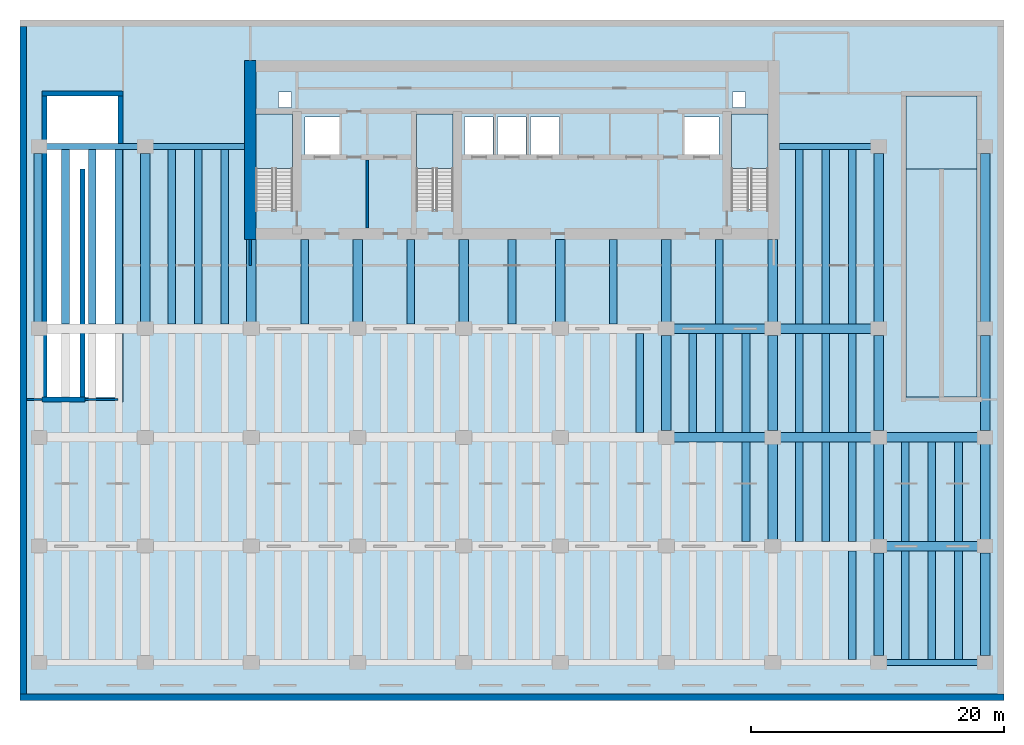
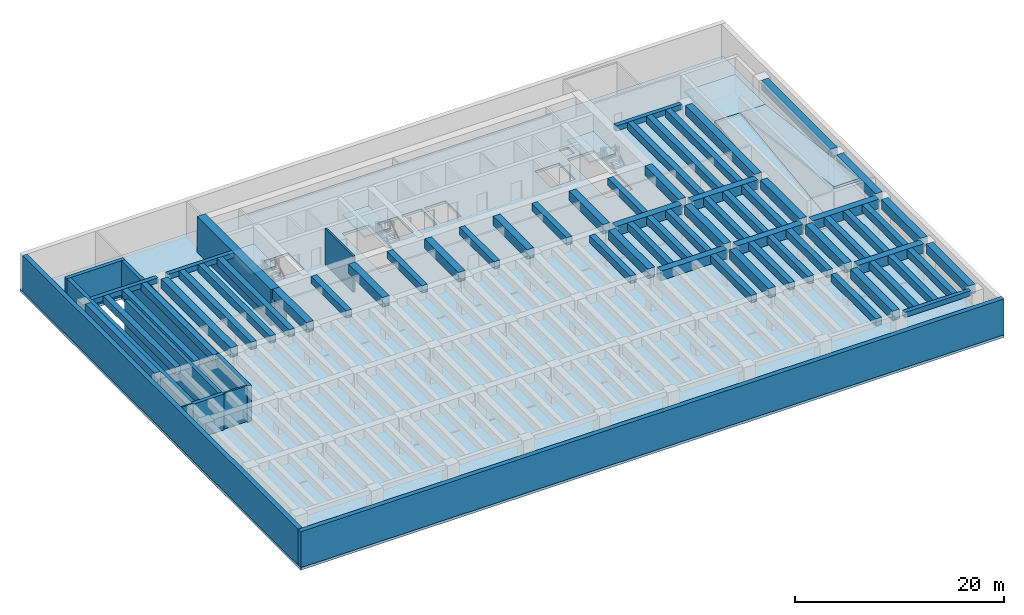
# One storey, part 2 of 8: 61 beams, 12 walls, 7 slabs, 3 elements without a shape of their own.
"""IFC4 building model written with IfcOpenShell, lengths in metres."""

from ifc_helpers import new_model, si_unit, direction, frame, frame_2d, origin, origin_2d, place, context, subcontext, project, spatial, polyline, rectangle, outline, extrude, material, layer, layer_set, material_profile, profile_set, type_object, element, aggregate, save


model = new_model("IFC4")

# Units and contexts
model_context = context("Model", 3, precision=1e-05, world=origin(), true_north=direction((0.0, 1.0)))
body_context = subcontext(model_context, "Body", "Model", "MODEL_VIEW")
ifc_project = project(units=[si_unit("LENGTHUNIT", "METRE"), si_unit("AREAUNIT", "SQUARE_METRE"), si_unit("VOLUMEUNIT", "CUBIC_METRE"), si_unit("PLANEANGLEUNIT", "RADIAN"), si_unit("MASSUNIT", "GRAM", prefix="KILO")], contexts=[model_context])

# Site, building, storey
site_placement = place(None, origin())
site = spatial("IfcSite", under=ifc_project, at=site_placement, CompositionType="ELEMENT")
building_placement = place(site_placement, origin())
building = spatial("IfcBuilding", under=site, at=building_placement, Name="Caelmar Bay Residences", CompositionType="ELEMENT")
storey_placement = place(building_placement, frame((0.0, 0.0, -4.5)))
storey = spatial("IfcBuildingStorey", under=building, at=storey_placement, Name="B01", CompositionType="ELEMENT", Elevation=-4.5)

# Beams
ifc_material_1 = material(Name="Concrete f'c 40 MPa (6,000 psi)", Category="concrete")
ifc_material_profile_1 = material_profile(ifc_material_1, rectangle(XDim=0.449951171875, YDim=0.60009765625, at=origin_2d()), Name="RC-BM-450X600")
ifc_profile_set_1 = profile_set([ifc_material_profile_1], Name="Concrete f'c 40 MPa (6,000 psi)")
beam_type_1 = type_object("IfcBeamType", Name="BM-RC-450X600", PredefinedType="SPANDREL", material=ifc_profile_set_1)
for number, where, z_axis, x_axis, name in (
    (1, (68.43994140625, 3.0, 3.89990234375), (1.0, 0.0, 0.0), (0.0, 1.0, 0.0), "B01 East-West Girder Y=3.00 (67.9-76.3)"),
    (2, (2.0400390625, 43.800048828125, 3.89990234375), (1.0, 0.0, 0.0), (0.0, 1.0, 0.0), "B01 East-West Girder Y=43.80 (1.5-9.9)"),
):
    element("IfcBeam", number, at=place(storey_placement, frame(where, z_axis=z_axis, x_axis=x_axis)), inside=storey, type_object=beam_type_1, Name=name, PredefinedType="SPANDREL", context=body_context, shape_type="SweptSolid", body=[
        extrude(rectangle(XDim=0.449951171875, YDim=0.60009765625, at=origin_2d()), origin(), (0.0, 0.0, 1.0), 7.320068359375),
    ])
for number, where, z_axis, x_axis, name in (
    (3, (10.43994140625, 43.800048828125, 3.89990234375), (1.0, 0.0, 0.0), (0.0, 1.0, 0.0), "B01 North-West Wing Core Tie Girder"),
    (4, (60.050048828125, 43.800048828125, 3.89990234375), (1.0, 0.0, 0.0), (0.0, 1.0, 0.0), "B01 North-East Wing Core Tie Girder"),
):
    element("IfcBeam", number, at=place(storey_placement, frame(where, z_axis=z_axis, x_axis=x_axis)), inside=storey, type_object=beam_type_1, Name=name, PredefinedType="SPANDREL", context=body_context, shape_type="SweptSolid", body=[
        extrude(rectangle(XDim=0.449951171875, YDim=0.60009765625, at=origin_2d()), origin(), (0.0, 0.0, 1.0), 7.31005859375),
    ])
ifc_material_2 = material(Name="Concrete f'c 70 MPa (10,000 psi)", Category="concrete")
ifc_material_profile_2 = material_profile(ifc_material_2, rectangle(XDim=0.60009765625, YDim=0.85009765625, at=origin_2d()), Name="RC-BM-600X850")
ifc_profile_set_2 = profile_set([ifc_material_profile_2], Name="Concrete f'c 70 MPa (10,000 psi)")
beam_type_2 = type_object("IfcBeamType", Name="BM-RC-600X850", PredefinedType="BEAM", material=ifc_profile_set_2)
for number, where, z_axis, x_axis, name in (
    (5, (65.800048828125, 3.22509765625, 3.77490234375), (0.0, 1.0, 0.0), (-1.0, 0.0, 0.0), "B01 Composite Floor Joist 24"),
    (6, (70.0, 3.22509765625, 3.77490234375), (0.0, 1.0, 0.0), (-1.0, 0.0, 0.0), "B01 Composite Floor Joist 25"),
    (7, (72.10009765625, 3.22509765625, 3.77490234375), (0.0, 1.0, 0.0), (-1.0, 0.0, 0.0), "B01 Composite Floor Joist 26"),
    (8, (74.199951171875, 3.22509765625, 3.77490234375), (0.0, 1.0, 0.0), (-1.0, 0.0, 0.0), "B01 Composite Floor Joist 27"),
):
    element("IfcBeam", number, at=place(storey_placement, frame(where, z_axis=z_axis, x_axis=x_axis)), inside=storey, type_object=beam_type_2, Name=name, PredefinedType="BEAM", context=body_context, shape_type="SweptSolid", body=[
        extrude(rectangle(XDim=0.60009765625, YDim=0.85009765625, at=origin_2d()), origin(), (0.0, 0.0, 1.0), 8.599853515625),
    ])
for number, where, z_axis, x_axis, name in (
    (9, (57.39990234375, 12.574951171875, 3.77490234375), (0.0, 1.0, 0.0), (-1.0, 0.0, 0.0), "B01 Composite Floor Joist 48"),
    (10, (61.60009765625, 12.574951171875, 3.77490234375), (0.0, 1.0, 0.0), (-1.0, 0.0, 0.0), "B01 Composite Floor Joist 49"),
    (11, (63.699951171875, 12.574951171875, 3.77490234375), (0.0, 1.0, 0.0), (-1.0, 0.0, 0.0), "B01 Composite Floor Joist 50"),
    (12, (65.800048828125, 12.574951171875, 3.77490234375), (0.0, 1.0, 0.0), (-1.0, 0.0, 0.0), "B01 Composite Floor Joist 51"),
    (13, (70.0, 12.574951171875, 3.77490234375), (0.0, 1.0, 0.0), (-1.0, 0.0, 0.0), "B01 Composite Floor Joist 52"),
    (14, (72.10009765625, 12.574951171875, 3.77490234375), (0.0, 1.0, 0.0), (-1.0, 0.0, 0.0), "B01 Composite Floor Joist 53"),
    (15, (74.199951171875, 12.574951171875, 3.77490234375), (0.0, 1.0, 0.0), (-1.0, 0.0, 0.0), "B01 Composite Floor Joist 54"),
):
    element("IfcBeam", number, at=place(storey_placement, frame(where, z_axis=z_axis, x_axis=x_axis)), inside=storey, type_object=beam_type_2, Name=name, PredefinedType="BEAM", context=body_context, shape_type="SweptSolid", body=[
        extrude(rectangle(XDim=0.60009765625, YDim=0.85009765625, at=origin_2d()), origin(), (0.0, 0.0, 1.0), 7.85009765625),
    ])
for number, where, z_axis, x_axis, name in (
    (16, (49.0, 21.175048828125, 3.77490234375), (0.0, 1.0, 0.0), (-1.0, 0.0, 0.0), "B01 Composite Floor Joist 72"),
    (17, (53.199951171875, 21.175048828125, 3.77490234375), (0.0, 1.0, 0.0), (-1.0, 0.0, 0.0), "B01 Composite Floor Joist 73"),
    (18, (55.300048828125, 21.175048828125, 3.77490234375), (0.0, 1.0, 0.0), (-1.0, 0.0, 0.0), "B01 Composite Floor Joist 74"),
    (19, (57.39990234375, 21.175048828125, 3.77490234375), (0.0, 1.0, 0.0), (-1.0, 0.0, 0.0), "B01 Composite Floor Joist 75"),
    (20, (61.60009765625, 21.175048828125, 3.77490234375), (0.0, 1.0, 0.0), (-1.0, 0.0, 0.0), "B01 Composite Floor Joist 76"),
    (21, (63.699951171875, 21.175048828125, 3.77490234375), (0.0, 1.0, 0.0), (-1.0, 0.0, 0.0), "B01 Composite Floor Joist 77"),
    (22, (65.800048828125, 21.175048828125, 3.77490234375), (0.0, 1.0, 0.0), (-1.0, 0.0, 0.0), "B01 Composite Floor Joist 78"),
):
    element("IfcBeam", number, at=place(storey_placement, frame(where, z_axis=z_axis, x_axis=x_axis)), inside=storey, type_object=beam_type_2, Name=name, PredefinedType="BEAM", context=body_context, shape_type="SweptSolid", body=[
        extrude(rectangle(XDim=0.60009765625, YDim=0.85009765625, at=origin_2d()), origin(), (0.0, 0.0, 1.0), 7.849853515625),
    ])
for number, where, z_axis, x_axis, name in (
    (23, (22.5, 29.77490234375, 3.77490234375), (0.0, 1.0, 0.0), (-1.0, 0.0, 0.0), "B01 Core-Band Composite Joist 79"),
    (24, (30.89990234375, 29.77490234375, 3.77490234375), (0.0, 1.0, 0.0), (-1.0, 0.0, 0.0), "B01 Core-Band Composite Joist 80"),
    (25, (38.89990234375, 29.77490234375, 3.77490234375), (0.0, 1.0, 0.0), (-1.0, 0.0, 0.0), "B01 Core-Band Composite Joist 81"),
    (26, (46.89990234375, 29.77490234375, 3.77490234375), (0.0, 1.0, 0.0), (-1.0, 0.0, 0.0), "B01 Core-Band Composite Joist 82"),
    (27, (55.300048828125, 29.77490234375, 3.77490234375), (0.0, 1.0, 0.0), (-1.0, 0.0, 0.0), "B01 Core-Band Composite Joist 83"),
):
    element("IfcBeam", number, at=place(storey_placement, frame(where, z_axis=z_axis, x_axis=x_axis)), inside=storey, type_object=beam_type_2, Name=name, PredefinedType="BEAM", context=body_context, shape_type="SweptSolid", body=[
        extrude(rectangle(XDim=0.60009765625, YDim=0.85009765625, at=origin_2d()), origin(), (0.0, 0.0, 1.0), 6.675048828125),
    ])
for number, where, z_axis, x_axis, name in (
    (28, (3.60009765625, 29.77490234375, 3.77490234375), (0.0, 1.0, 0.0), (-1.0, 0.0, 0.0), "B01 Composite Floor Joist 84"),
    (29, (5.699951171875, 29.77490234375, 3.77490234375), (0.0, 1.0, 0.0), (-1.0, 0.0, 0.0), "B01 Composite Floor Joist 85"),
    (30, (7.800048828125, 29.77490234375, 3.77490234375), (0.0, 1.0, 0.0), (-1.0, 0.0, 0.0), "B01 Composite Floor Joist 86"),
    (31, (12.0, 29.77490234375, 3.77490234375), (0.0, 1.0, 0.0), (-1.0, 0.0, 0.0), "B01 Composite Floor Joist 87"),
    (32, (14.10009765625, 29.77490234375, 3.77490234375), (0.0, 1.0, 0.0), (-1.0, 0.0, 0.0), "B01 Composite Floor Joist 88"),
    (33, (16.199951171875, 29.77490234375, 3.77490234375), (0.0, 1.0, 0.0), (-1.0, 0.0, 0.0), "B01 Composite Floor Joist 89"),
    (34, (61.60009765625, 29.77490234375, 3.77490234375), (0.0, 1.0, 0.0), (-1.0, 0.0, 0.0), "B01 Composite Floor Joist 90"),
    (35, (63.699951171875, 29.77490234375, 3.77490234375), (0.0, 1.0, 0.0), (-1.0, 0.0, 0.0), "B01 Composite Floor Joist 91"),
    (36, (65.800048828125, 29.77490234375, 3.77490234375), (0.0, 1.0, 0.0), (-1.0, 0.0, 0.0), "B01 Composite Floor Joist 92"),
):
    element("IfcBeam", number, at=place(storey_placement, frame(where, z_axis=z_axis, x_axis=x_axis)), inside=storey, type_object=beam_type_2, Name=name, PredefinedType="BEAM", context=body_context, shape_type="SweptSolid", body=[
        extrude(rectangle(XDim=0.60009765625, YDim=0.85009765625, at=origin_2d()), origin(), (0.0, 0.0, 1.0), 13.800048828125),
    ])
ifc_material_profile_3 = material_profile(ifc_material_2, rectangle(XDim=0.75, YDim=1.10009765625, at=origin_2d()), Name="RC-BM-750X1100")
ifc_profile_set_3 = profile_set([ifc_material_profile_3], Name="Concrete f'c 70 MPa (10,000 psi)")
beam_type_3 = type_object("IfcBeamType", Name="BM-RC-750X1100", PredefinedType="BEAM", material=ifc_profile_set_3)
for number, where, z_axis, x_axis, name in (
    (37, (68.43994140625, 12.199951171875, 3.64990234375), (1.0, 0.0, 0.0), (0.0, 1.0, 0.0), "B01 East-West Girder Y=12.20 (67.9-76.3)"),
    (38, (51.639892578125, 20.800048828125, 3.64990234375), (1.0, 0.0, 0.0), (0.0, 1.0, 0.0), "B01 East-West Girder Y=20.80 (51.1-59.5)"),
    (39, (60.0400390625, 20.800048828125, 3.64990234375), (1.0, 0.0, 0.0), (0.0, 1.0, 0.0), "B01 East-West Girder Y=20.80 (59.5-67.9)"),
    (40, (68.43994140625, 20.800048828125, 3.64990234375), (1.0, 0.0, 0.0), (0.0, 1.0, 0.0), "B01 East-West Girder Y=20.80 (67.9-76.3)"),
    (41, (51.639892578125, 29.39990234375, 3.64990234375), (1.0, 0.0, 0.0), (0.0, 1.0, 0.0), "B01 East-West Girder Y=29.40 (51.1-59.5)"),
    (42, (60.0400390625, 29.39990234375, 3.64990234375), (1.0, 0.0, 0.0), (0.0, 1.0, 0.0), "B01 East-West Girder Y=29.40 (59.5-67.9)"),
):
    element("IfcBeam", number, at=place(storey_placement, frame(where, z_axis=z_axis, x_axis=x_axis)), inside=storey, type_object=beam_type_3, Name=name, PredefinedType="BEAM", context=body_context, shape_type="SweptSolid", body=[
        extrude(rectangle(XDim=0.75, YDim=1.10009765625, at=origin_2d()), origin(), (0.0, 0.0, 1.0), 7.320068359375),
    ])
for number, where, z_axis, x_axis, name in (
    (43, (1.5, 29.93994140625, 3.64990234375), (0.0, 1.0, 0.0), (-1.0, 0.0, 0.0), "B01 North-South Girder X=1.50 (29.4-43.8)"),
    (44, (9.89990234375, 29.93994140625, 3.64990234375), (0.0, 1.0, 0.0), (-1.0, 0.0, 0.0), "B01 North-South Girder X=9.90 (29.4-43.8)"),
):
    element("IfcBeam", number, at=place(storey_placement, frame(where, z_axis=z_axis, x_axis=x_axis)), inside=storey, type_object=beam_type_3, Name=name, PredefinedType="BEAM", context=body_context, shape_type="SweptSolid", body=[
        extrude(rectangle(XDim=0.75, YDim=1.10009765625, at=origin_2d()), origin(), (0.0, 0.0, 1.0), 13.320068359375),
    ])
for number, where, z_axis, x_axis, name in (
    (45, (18.300048828125, 29.93994140625, 3.64990234375), (0.0, 1.0, 0.0), (-1.0, 0.0, 0.0), "B01 Core Tie Girder X=18.30"),
    (46, (26.699951171875, 29.93994140625, 3.64990234375), (0.0, 1.0, 0.0), (-1.0, 0.0, 0.0), "B01 Core Tie Girder X=26.70"),
    (47, (35.10009765625, 29.93994140625, 3.64990234375), (0.0, 1.0, 0.0), (-1.0, 0.0, 0.0), "B01 Core Tie Girder X=35.10"),
    (48, (42.699951171875, 29.93994140625, 3.64990234375), (0.0, 1.0, 0.0), (-1.0, 0.0, 0.0), "B01 Core Tie Girder X=42.70"),
    (49, (51.10009765625, 29.93994140625, 3.64990234375), (0.0, 1.0, 0.0), (-1.0, 0.0, 0.0), "B01 Core Tie Girder X=51.10"),
):
    element("IfcBeam", number, at=place(storey_placement, frame(where, z_axis=z_axis, x_axis=x_axis)), inside=storey, type_object=beam_type_3, Name=name, PredefinedType="BEAM", context=body_context, shape_type="SweptSolid", body=[
        extrude(rectangle(XDim=0.75, YDim=1.10009765625, at=origin_2d()), origin(), (0.0, 0.0, 1.0), 6.510009765625),
    ])
beam_1_placement = place(storey_placement, frame((51.10009765625, 21.340087890625, 3.64990234375), z_axis=(0.0, 1.0, 0.0), x_axis=(-1.0, 0.0, 0.0)))
element("IfcBeam", 50, at=beam_1_placement, inside=storey, type_object=beam_type_3, Name="B01 North-South Girder X=51.10 (20.8-29.4)", PredefinedType="BEAM", context=body_context, shape_type="SweptSolid", body=[
    extrude(rectangle(XDim=0.75, YDim=1.10009765625, at=origin_2d()), origin(), (0.0, 0.0, 1.0), 7.52001953125),
])
beam_2_placement = place(storey_placement, frame((59.5, 29.93994140625, 3.64990234375), z_axis=(0.0, 1.0, 0.0), x_axis=(-1.0, 0.0, 0.0)))
element("IfcBeam", 51, at=beam_2_placement, inside=storey, type_object=beam_type_3, Name="B01 Core Tie Girder X=59.50", PredefinedType="BEAM", context=body_context, shape_type="SweptSolid", body=[
    extrude(rectangle(XDim=0.75, YDim=1.10009765625, at=origin_2d()), origin(), (0.0, 0.0, 1.0), 6.510009765625),
])
for number, where, z_axis, x_axis, name in (
    (52, (59.5, 12.739990234375, 3.64990234375), (0.0, 1.0, 0.0), (-1.0, 0.0, 0.0), "B01 North-South Girder X=59.50 (12.2-20.8)"),
    (53, (59.5, 21.340087890625, 3.64990234375), (0.0, 1.0, 0.0), (-1.0, 0.0, 0.0), "B01 North-South Girder X=59.50 (20.8-29.4)"),
):
    element("IfcBeam", number, at=place(storey_placement, frame(where, z_axis=z_axis, x_axis=x_axis)), inside=storey, type_object=beam_type_3, Name=name, PredefinedType="BEAM", context=body_context, shape_type="SweptSolid", body=[
        extrude(rectangle(XDim=0.75, YDim=1.10009765625, at=origin_2d()), origin(), (0.0, 0.0, 1.0), 7.52001953125),
    ])
beam_3_placement = place(storey_placement, frame((67.89990234375, 3.5400390625, 3.64990234375), z_axis=(0.0, 1.0, 0.0), x_axis=(-1.0, 0.0, 0.0)))
element("IfcBeam", 54, at=beam_3_placement, inside=storey, type_object=beam_type_3, Name="B01 North-South Girder X=67.90 (3.0-12.2)", PredefinedType="BEAM", context=body_context, shape_type="SweptSolid", body=[
    extrude(rectangle(XDim=0.75, YDim=1.10009765625, at=origin_2d()), origin(), (0.0, 0.0, 1.0), 8.119873046875),
])
for number, where, z_axis, x_axis, name in (
    (55, (67.89990234375, 12.739990234375, 3.64990234375), (0.0, 1.0, 0.0), (-1.0, 0.0, 0.0), "B01 North-South Girder X=67.90 (12.2-20.8)"),
    (56, (67.89990234375, 21.340087890625, 3.64990234375), (0.0, 1.0, 0.0), (-1.0, 0.0, 0.0), "B01 North-South Girder X=67.90 (20.8-29.4)"),
):
    element("IfcBeam", number, at=place(storey_placement, frame(where, z_axis=z_axis, x_axis=x_axis)), inside=storey, type_object=beam_type_3, Name=name, PredefinedType="BEAM", context=body_context, shape_type="SweptSolid", body=[
        extrude(rectangle(XDim=0.75, YDim=1.10009765625, at=origin_2d()), origin(), (0.0, 0.0, 1.0), 7.52001953125),
    ])
beam_4_placement = place(storey_placement, frame((67.89990234375, 29.93994140625, 3.64990234375), z_axis=(0.0, 1.0, 0.0), x_axis=(-1.0, 0.0, 0.0)))
element("IfcBeam", 57, at=beam_4_placement, inside=storey, type_object=beam_type_3, Name="B01 North-South Girder X=67.90 (29.4-43.8)", PredefinedType="BEAM", context=body_context, shape_type="SweptSolid", body=[
    extrude(rectangle(XDim=0.75, YDim=1.10009765625, at=origin_2d()), origin(), (0.0, 0.0, 1.0), 13.320068359375),
])
beam_5_placement = place(storey_placement, frame((76.300048828125, 3.5400390625, 3.64990234375), z_axis=(0.0, 1.0, 0.0), x_axis=(-1.0, 0.0, 0.0)))
element("IfcBeam", 58, at=beam_5_placement, inside=storey, type_object=beam_type_3, Name="B01 North-South Girder X=76.30 (3.0-12.2)", PredefinedType="BEAM", context=body_context, shape_type="SweptSolid", body=[
    extrude(rectangle(XDim=0.75, YDim=1.10009765625, at=origin_2d()), origin(), (0.0, 0.0, 1.0), 8.119873046875),
])
for number, where, z_axis, x_axis, name in (
    (59, (76.300048828125, 12.739990234375, 3.64990234375), (0.0, 1.0, 0.0), (-1.0, 0.0, 0.0), "B01 North-South Girder X=76.30 (12.2-20.8)"),
    (60, (76.300048828125, 21.340087890625, 3.64990234375), (0.0, 1.0, 0.0), (-1.0, 0.0, 0.0), "B01 North-South Girder X=76.30 (20.8-29.4)"),
):
    element("IfcBeam", number, at=place(storey_placement, frame(where, z_axis=z_axis, x_axis=x_axis)), inside=storey, type_object=beam_type_3, Name=name, PredefinedType="BEAM", context=body_context, shape_type="SweptSolid", body=[
        extrude(rectangle(XDim=0.75, YDim=1.10009765625, at=origin_2d()), origin(), (0.0, 0.0, 1.0), 7.52001953125),
    ])
beam_6_placement = place(storey_placement, frame((76.300048828125, 29.93994140625, 3.64990234375), z_axis=(0.0, 1.0, 0.0), x_axis=(-1.0, 0.0, 0.0)))
element("IfcBeam", 61, at=beam_6_placement, inside=storey, type_object=beam_type_3, Name="B01 North-South Girder X=76.30 (29.4-43.8)", PredefinedType="BEAM", context=body_context, shape_type="SweptSolid", body=[
    extrude(rectangle(XDim=0.75, YDim=1.10009765625, at=origin_2d()), origin(), (0.0, 0.0, 1.0), 13.320068359375),
])

# Stair, slab
stair_type = type_object("IfcStairType", Name="ST-BSM-173", PredefinedType="HALF_TURN_STAIR", material=ifc_material_1)
stair_1_placement = place(storey_placement, origin())
stair_1 = element("IfcStair", 62, at=stair_1_placement, inside=storey, type_object=stair_type, Name="B01 West Smokeproof Exit Stair ST1", PredefinedType="HALF_TURN_STAIR")
ifc_layer_1 = layer(ifc_material_1, 0.199951171875)
ifc_layer_set_1 = layer_set([ifc_layer_1], Name="Concrete f'c 40 MPa (6,000 psi)")
slab_type_1 = type_object("IfcSlabType", Name="SLB-LND-200", PredefinedType="LANDING", material=ifc_layer_set_1)
slab_1_placement = place(storey_placement, frame((0.0, 0.0, 2.050048828125)))
slab_1 = element("IfcSlab", 63, at=slab_1_placement, type_object=slab_type_1, Name="ST1 landing 1", PredefinedType="LANDING", context=body_context, shape_type="SweptSolid", body=[
    extrude(outline(polyline([(21.550048828125, 42.06005859375), (21.550048828125, 46.35009765625), (18.64990234375, 46.35009765625), (18.64990234375, 42.06005859375), (21.550048828125, 42.06005859375)])), origin(), (0.0, 0.0, 1.0), 0.199951171875),
])
aggregate(stair_1, [slab_1])

stair_2_placement = place(storey_placement, origin())
stair_2 = element("IfcStair", 64, at=stair_2_placement, inside=storey, type_object=stair_type, Name="B01 East Smokeproof Exit Stair ST2", PredefinedType="HALF_TURN_STAIR")
slab_2_placement = place(storey_placement, frame((0.0, 0.0, 2.050048828125)))
slab_2 = element("IfcSlab", 65, at=slab_2_placement, type_object=slab_type_1, Name="ST2 landing 1", PredefinedType="LANDING", context=body_context, shape_type="SweptSolid", body=[
    extrude(outline(polyline([(59.14990234375, 42.06005859375), (59.14990234375, 46.35009765625), (56.25, 46.35009765625), (56.25, 42.06005859375), (59.14990234375, 42.06005859375)])), origin(), (0.0, 0.0, 1.0), 0.199951171875),
])
aggregate(stair_2, [slab_2])

stair_3_placement = place(storey_placement, origin())
stair_3 = element("IfcStair", 66, at=stair_3_placement, inside=storey, type_object=stair_type, Name="B01 Central Smokeproof Exit Stair ST3", PredefinedType="HALF_TURN_STAIR")
slab_3_placement = place(storey_placement, frame((0.0, 0.0, 2.050048828125)))
slab_3 = element("IfcSlab", 67, at=slab_3_placement, type_object=slab_type_1, Name="ST3 landing 1", PredefinedType="LANDING", context=body_context, shape_type="SweptSolid", body=[
    extrude(outline(polyline([(34.25, 42.06005859375), (34.25, 46.35009765625), (31.35009765625, 46.35009765625), (31.35009765625, 42.06005859375), (34.25, 42.06005859375)])), origin(), (0.0, 0.0, 1.0), 0.199951171875),
])
aggregate(stair_3, [slab_3])

# Slabs
ifc_layer_2 = layer(ifc_material_1, 0.300048828125)
ifc_layer_set_2 = layer_set([ifc_layer_2], Name="Concrete f'c 40 MPa (6,000 psi)")
slab_type_2 = type_object("IfcSlabType", Name="SLB-POD-300", PredefinedType="FLOOR", material=ifc_layer_set_2)
slab_4_placement = place(storey_placement, frame((0.0, 0.0, -0.300048828125)))
element("IfcSlab", 68, at=slab_4_placement, inside=storey, type_object=slab_type_2, Name="B01 Structural Floor Slab", PredefinedType="FLOOR", context=body_context, shape_type="SweptSolid", body=[
    extrude(outline(polyline([(0.0, 0.0), (77.800048828125, 0.0), (77.800048828125, 53.800048828125), (0.0, 53.800048828125), (0.0, 0.0)]), holes=[polyline([(18.64990234375, 38.85009765625), (21.550048828125, 38.85009765625), (21.550048828125, 46.35009765625), (18.64990234375, 46.35009765625), (18.64990234375, 38.85009765625)]), polyline([(56.25, 38.85009765625), (59.14990234375, 38.85009765625), (59.14990234375, 46.35009765625), (56.25, 46.35009765625), (56.25, 38.85009765625)]), polyline([(31.35009765625, 38.85009765625), (34.25, 38.85009765625), (34.25, 46.35009765625), (31.35009765625, 46.35009765625), (31.35009765625, 38.85009765625)]), polyline([(22.550048828125, 43.050048828125), (25.25, 43.050048828125), (25.25, 46.14990234375), (22.550048828125, 46.14990234375), (22.550048828125, 43.050048828125)]), polyline([(52.550048828125, 43.050048828125), (55.25, 43.050048828125), (55.25, 46.14990234375), (52.550048828125, 46.14990234375), (52.550048828125, 43.050048828125)]), polyline([(35.14990234375, 43.14990234375), (37.39990234375, 43.14990234375), (37.39990234375, 46.14990234375), (35.14990234375, 46.14990234375), (35.14990234375, 43.14990234375)]), polyline([(37.75, 43.14990234375), (40.0, 43.14990234375), (40.0, 46.14990234375), (37.75, 46.14990234375), (37.75, 43.14990234375)]), polyline([(40.35009765625, 43.14990234375), (42.64990234375, 43.14990234375), (42.64990234375, 46.14990234375), (40.35009765625, 46.14990234375), (40.35009765625, 43.14990234375)]), polyline([(20.449951171875, 46.89990234375), (21.449951171875, 46.89990234375), (21.449951171875, 48.10009765625), (20.449951171875, 48.10009765625), (20.449951171875, 46.89990234375)]), polyline([(56.35009765625, 46.89990234375), (57.35009765625, 46.89990234375), (57.35009765625, 48.10009765625), (56.35009765625, 48.10009765625), (56.35009765625, 46.89990234375)]), polyline([(2.14990234375, 24.0), (7.75, 24.0), (7.75, 47.800048828125), (2.14990234375, 47.800048828125), (2.14990234375, 24.0)]), polyline([(70.050048828125, 24.0), (72.85009765625, 24.0), (72.85009765625, 26.35009765625), (70.050048828125, 26.35009765625), (70.050048828125, 24.0)])]), origin(), (0.0, 0.0, 1.0), 0.300048828125),
])
ifc_layer_3 = layer(ifc_material_1, 0.280029296875)
ifc_layer_set_3 = layer_set([ifc_layer_3], Name="Concrete f'c 40 MPa (6,000 psi)")
slab_type_3 = type_object("IfcSlabType", Name="SLB-RLND-280", PredefinedType="LANDING", material=ifc_layer_set_3)
slab_5_placement = place(storey_placement, frame((0.0, 0.0, 1.969970703125)))
element("IfcSlab", 69, at=slab_5_placement, inside=storey, type_object=slab_type_3, Name="Car park vehicle ramp B01 to L00 Half-Turn Landing", PredefinedType="LANDING", context=body_context, shape_type="SweptSolid", body=[
    extrude(outline(polyline([(70.050048828125, 42.0), (75.64990234375, 42.0), (75.64990234375, 47.800048828125), (70.050048828125, 47.800048828125), (70.050048828125, 42.0)])), origin(), (0.0, 0.0, 1.0), 0.280029296875),
])
ifc_layer_4 = layer(ifc_material_1, 0.280029296875)
ifc_layer_set_4 = layer_set([ifc_layer_4], Name="Concrete f'c 40 MPa (6,000 psi)")
slab_type_4 = type_object("IfcSlabType", Name="SLB-VRMP-280", PredefinedType="USERDEFINED", material=ifc_layer_set_4)
slab_6_placement = place(storey_placement, frame((70.050048828125, 24.0, 0.0), z_axis=(0.0, -0.124034734589, 0.992277876714), x_axis=(1.0, 0.0, 0.0)))
element("IfcSlab", 70, at=slab_6_placement, inside=storey, type_object=slab_type_4, Name="Car park vehicle ramp B01 to L00 Lower Structural Ramp Slab", ObjectType="VEHICLE_RAMP", PredefinedType="USERDEFINED", context=body_context, shape_type="SweptSolid", body=[
    extrude(outline(polyline([(0.0, 0.0), (2.800048828125, 0.0), (2.800048828125, 18.140079933671736), (0.0, 18.140079933671736), (0.0, 0.0)])), origin(), (0.0, 0.0, -1.0), 0.280029296875),
])
slab_7_placement = place(storey_placement, frame((72.85009765625, 42.0, 2.25), z_axis=(0.0, 0.124034734589, 0.992277876714), x_axis=(1.0, 0.0, 0.0)))
element("IfcSlab", 71, at=slab_7_placement, inside=storey, type_object=slab_type_4, Name="Car park vehicle ramp B01 to L00 Upper Structural Ramp Slab", ObjectType="VEHICLE_RAMP", PredefinedType="USERDEFINED", context=body_context, shape_type="SweptSolid", body=[
    extrude(outline(polyline([(0.0, 0.0), (2.7998046875, 0.0), (2.7998046875, -18.140079933671736), (0.0, -18.140079933671736), (0.0, 0.0)])), origin(), (0.0, 0.0, -1.0), 0.280029296875),
])

# Walls
ifc_layer_5 = layer(ifc_material_1, 0.5)
ifc_layer_set_5 = layer_set([ifc_layer_5], Name="Concrete f'c 40 MPa (6,000 psi)")
wall_type_1 = type_object("IfcWallType", Name="SW-BSM-500", PredefinedType="SOLIDWALL", material=ifc_layer_set_5)
wall_1_placement = place(storey_placement, frame((77.800048828125, 0.25, 0.0), z_axis=(0.0, 0.0, 1.0), x_axis=(-1.0, 0.0, 0.0)))
element("IfcWall", 72, at=wall_1_placement, inside=storey, type_object=wall_type_1, Name="B01 Perimeter Concrete Retaining Wall S", PredefinedType="SOLIDWALL", context=body_context, shape_type="SweptSolid", body=[
    extrude(rectangle(XDim=77.800048828125, YDim=0.5, at=frame_2d((38.89990234375, 0.0))), origin(), (0.0, 0.0, 1.0), 4.199951171875),
])
wall_2_placement = place(storey_placement, frame((0.25, 0.5, 0.0), z_axis=(0.0, 0.0, 1.0), x_axis=(0.0, 1.0, 0.0)))
element("IfcWall", 73, at=wall_2_placement, inside=storey, type_object=wall_type_1, Name="B01 Perimeter Concrete Retaining Wall W", PredefinedType="SOLIDWALL", context=body_context, shape_type="SweptSolid", body=[
    extrude(rectangle(XDim=52.800048828125, YDim=0.5, at=frame_2d((26.39990234375, 0.0))), origin(), (0.0, 0.0, 1.0), 4.199951171875),
])
ifc_layer_6 = layer(ifc_material_2, 0.89990234375)
ifc_layer_set_6 = layer_set([ifc_layer_6], Name="Concrete f'c 70 MPa (10,000 psi)")
wall_type_2 = type_object("IfcWallType", Name="SW-COR-900", PredefinedType="SHEAR", material=ifc_layer_set_6)
wall_3_placement = place(storey_placement, frame((18.199951171875, 36.449951171875, 0.0), z_axis=(0.0, 0.0, 1.0), x_axis=(0.0, 1.0, 0.0)))
element("IfcWall", 74, at=wall_3_placement, inside=storey, type_object=wall_type_2, Name="B01 Rear Core West Shear Wall", PredefinedType="SHEAR", context=body_context, shape_type="SweptSolid", body=[
    extrude(rectangle(XDim=14.150146484375, YDim=0.89990234375, at=frame_2d((7.0751953125, 0.0))), origin(), (0.0, 0.0, 1.0), 4.199951171875),
])
ifc_layer_7 = layer(ifc_material_1, 0.39990234375)
ifc_layer_set_7 = layer_set([ifc_layer_7], Name="Concrete f'c 40 MPa (6,000 psi)")
wall_type_3 = type_object("IfcWallType", Name="SW-RMP-400", PredefinedType="SHEAR", material=ifc_layer_set_7)
wall_4_placement = place(storey_placement, frame((1.75, 48.0, 0.0), z_axis=(0.0, 0.0, 1.0), x_axis=(1.0, 0.0, 0.0)))
element("IfcWall", 75, at=wall_4_placement, inside=storey, type_object=wall_type_3, Name="Car park vehicle ramp B02 to B01 B01 Ramp Shaft Enclosure Wall N", PredefinedType="SHEAR", context=body_context, shape_type="SweptSolid", body=[
    extrude(rectangle(XDim=6.39990234375, YDim=0.39990234375, at=frame_2d((3.199951171875, 0.0))), origin(), (0.0, 0.0, 1.0), 4.199951171875),
])
for number, where, z_axis, x_axis, name in (
    (76, (1.949951171875, 23.60009765625, 0.0), (0.0, 0.0, 1.0), (0.0, 1.0, 0.0), "Car park vehicle ramp B02 to B01 B01 Ramp Shaft Enclosure Wall W"),
    (77, (7.949951171875, 23.60009765625, 0.0), (0.0, 0.0, 1.0), (0.0, 1.0, 0.0), "Car park vehicle ramp B02 to B01 B01 Ramp Shaft Enclosure Wall E"),
):
    element("IfcWall", number, at=place(storey_placement, frame(where, z_axis=z_axis, x_axis=x_axis)), inside=storey, type_object=wall_type_3, Name=name, PredefinedType="SHEAR", context=body_context, shape_type="SweptSolid", body=[
        extrude(rectangle(XDim=24.199951171875, YDim=0.39990234375, at=frame_2d((12.10009765625, 0.0))), origin(), (0.0, 0.0, 1.0), 4.199951171875),
    ])
wall_5_placement = place(storey_placement, frame((4.949951171875, 23.60009765625, -0.300048828125), z_axis=(0.0, 0.0, 1.0), x_axis=(0.0, 1.0, 0.0)))
element("IfcWall", 78, at=wall_5_placement, inside=storey, type_object=wall_type_3, Name="Car park vehicle ramp B02 to B01 B01 Ramp Shaft Enclosure Wall M", PredefinedType="SHEAR", context=body_context, shape_type="SweptSolid", body=[
    extrude(rectangle(XDim=18.39990234375, YDim=0.39990234375, at=frame_2d((9.199951171875, 0.0))), origin(), (0.0, 0.0, 1.0), 4.5),
])
wall_6_placement = place(storey_placement, frame((1.75, 23.800048828125, 0.0), z_axis=(0.0, 0.0, 1.0), x_axis=(1.0, 0.0, 0.0)))
element("IfcWall", 79, at=wall_6_placement, inside=storey, type_object=wall_type_3, Name="Car park vehicle ramp B02 to B01 B01 Ramp Shaft Enclosure Wall SW", PredefinedType="SHEAR", context=body_context, shape_type="SweptSolid", body=[
    extrude(rectangle(XDim=3.39990234375, YDim=0.39990234375, at=frame_2d((1.699951171875, 0.0))), origin(), (0.0, 0.0, 1.0), 4.199951171875),
])
ifc_material_3 = material(Name="Double-stud acoustic fire-rated gypsum partition 180 mm")
ifc_layer_8 = layer(ifc_material_3, 0.179931640625)
ifc_layer_set_8 = layer_set([ifc_layer_8], Name="Double-stud acoustic fire-rated gypsum partition 180 mm")
wall_type_4 = type_object("IfcWallType", Name="W-COR-200", PredefinedType="PARTITIONING", material=ifc_layer_set_8)
wall_7_placement = place(storey_placement, frame((18.199951171875, 34.39990234375, 0.0), z_axis=(0.0, 0.0, 1.0), x_axis=(0.0, 1.0, 0.0)))
element("IfcWall", 80, at=wall_7_placement, inside=storey, type_object=wall_type_4, Name="B01 Partition Wall V002", PredefinedType="PARTITIONING", context=body_context, shape_type="SweptSolid", body=[
    extrude(rectangle(XDim=2.045166015625, YDim=0.179931640625, at=frame_2d((1.0224609375, 0.0))), origin(), (0.0, 0.0, 1.0), 3.0849609375),
])
wall_8_placement = place(storey_placement, frame((0.550048828125, 23.800048828125, 0.0), z_axis=(0.0, 0.0, 1.0), x_axis=(1.0, 0.0, 0.0)))
element("IfcWall", 81, at=wall_8_placement, inside=storey, type_object=wall_type_4, Name="B01 Partition Wall H020", PredefinedType="PARTITIONING", context=body_context, shape_type="SweptSolid", body=[
    extrude(rectangle(XDim=1.195068359375, YDim=0.179931640625, at=frame_2d((0.59765625, 0.0))), origin(), (0.0, 0.0, 1.0), 4.199951171875),
])
wall_9_placement = place(storey_placement, frame((5.155029296875, 23.800048828125, 0.0), z_axis=(0.0, 0.0, 1.0), x_axis=(1.0, 0.0, 0.0)))
element("IfcWall", 82, at=wall_9_placement, inside=storey, type_object=wall_type_4, Name="B01 Partition Wall H021", PredefinedType="PARTITIONING", context=body_context, shape_type="SweptSolid", body=[
    extrude(rectangle(XDim=2.599853515625, YDim=0.179931640625, at=frame_2d((1.2998046875, 0.0))), origin(), (0.0, 0.0, 1.0), 4.199951171875),
])
ifc_material_4 = material(Name="Fire-rated masonry and gypsum shaftliner assembly 200 mm", Category="masonry")
ifc_layer_9 = layer(ifc_material_4, 0.199951171875)
ifc_layer_set_9 = layer_set([ifc_layer_9], Name="Fire-rated masonry and gypsum shaftliner assembly 200 mm")
wall_type_5 = type_object("IfcWallType", Name="W-FSAE-200", PredefinedType="PARTITIONING", material=ifc_layer_set_9)
wall_10_placement = place(storey_placement, frame((27.449951171875, 37.344970703125, 0.0), z_axis=(0.0, 0.0, 1.0), x_axis=(0.0, 1.0, 0.0)))
element("IfcWall", 83, at=wall_10_placement, inside=storey, type_object=wall_type_5, Name="B01 Partition Wall V006", PredefinedType="PARTITIONING", context=body_context, shape_type="SweptSolid", body=[
    extrude(rectangle(XDim=5.385009765625, YDim=0.199951171875, at=frame_2d((2.6923828125, 0.0))), origin(), (0.0, 0.0, 1.0), 4.199951171875),
])

save(model, "model.ifc")
